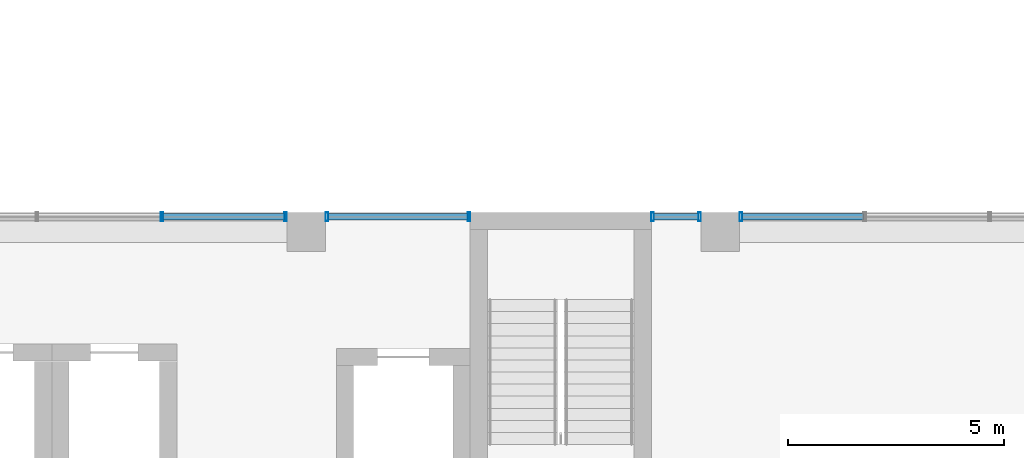
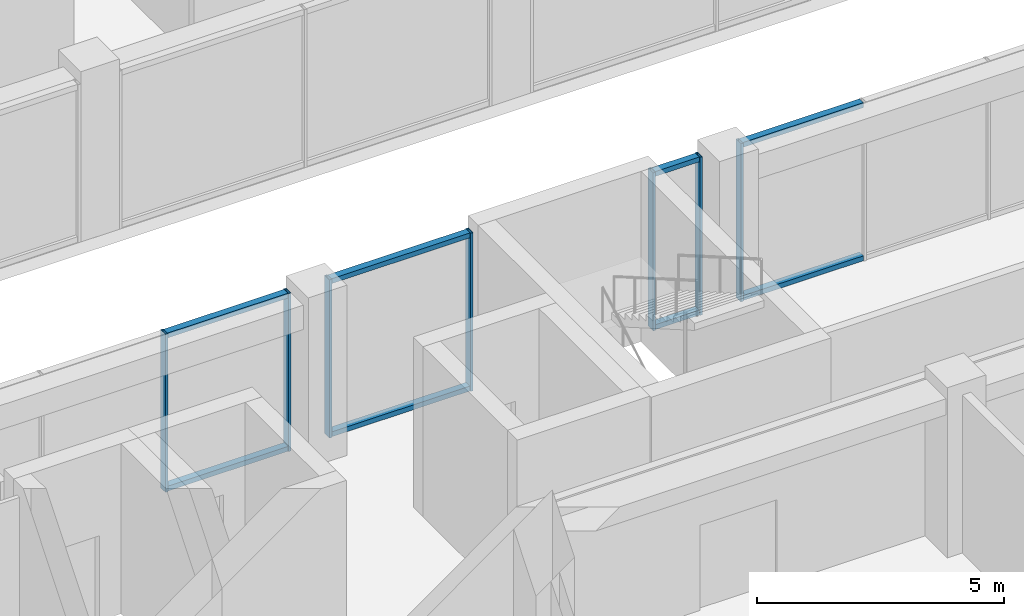
# One storey, part 9 of 37: 15 members, 4 elements without a shape of their own.
"""IFC4 building model written with IfcOpenShell, lengths in metres."""

from ifc_helpers import new_model, si_unit, direction, frame, origin, origin_2d, place, context, subcontext, project, spatial, hollow_rectangle, extrude, material, layer, layer_set, material_profile, profile_set, type_object, element, aggregate, save


model = new_model("IFC4")

# Units and contexts
model_context = context("Model", 3, precision=1e-05, world=origin(), true_north=direction((0.0, 1.0)))
body_context = subcontext(model_context, "Body", "Model", "MODEL_VIEW")
ifc_project = project(units=[si_unit("LENGTHUNIT", "METRE"), si_unit("AREAUNIT", "SQUARE_METRE"), si_unit("VOLUMEUNIT", "CUBIC_METRE"), si_unit("PLANEANGLEUNIT", "RADIAN"), si_unit("MASSUNIT", "GRAM", prefix="KILO")], contexts=[model_context])

# Site, building, storey
site_placement = place(None, origin())
site = spatial("IfcSite", under=ifc_project, at=site_placement, CompositionType="ELEMENT")
building_placement = place(site_placement, origin())
building = spatial("IfcBuilding", under=site, at=building_placement, Name="Nzadi Deep Aquarium and Research Tower", CompositionType="ELEMENT")
storey_placement = place(building_placement, frame((0.0, 0.0, 61.300048828125)))
storey = spatial("IfcBuildingStorey", under=building, at=storey_placement, Name="L12", CompositionType="ELEMENT", Elevation=61.300048828125)

# Curtain wall, members
ifc_material_1 = material(Name="Aluminium unitised frame", Category="aluminium")
ifc_layer = layer(ifc_material_1, 0.199951171875)
ifc_layer_set = layer_set([ifc_layer], Name="Aluminium unitised frame")
curtain_wall_type = type_object("IfcCurtainWallType", Name="Curtain wall Unitised 200", PredefinedType="NOTDEFINED", material=ifc_layer_set)
curtain_wall_1_placement = place(storey_placement, origin())
curtain_wall_1 = element("IfcCurtainWall", 1, at=curtain_wall_1_placement, inside=storey, type_object=curtain_wall_type, Name="Unitised curtain wall blade A north L12", PredefinedType="NOTDEFINED")
ifc_material_2 = material(Name="Aluminium unitised frame", Category="aluminium")
ifc_material_profile_1 = material_profile(ifc_material_2, hollow_rectangle(XDim=0.199951171875, YDim=0.06005859375, WallThickness=0.0048828125, at=origin_2d()))
ifc_profile_set_1 = profile_set([ifc_material_profile_1], Name="Aluminium unitised frame")
member_type_1 = type_object("IfcMemberType", Name="Mullion 60x200 Unitised", PredefinedType="MULLION", material=ifc_profile_set_1)
member_1_placement = place(storey_placement, frame((15.85009765625, 18.75, 0.0), z_axis=(0.0, 0.0, 1.0), x_axis=(0.0, 1.0, 0.0)))
member_1 = element("IfcMember", 2, at=member_1_placement, type_object=member_type_1, Name="CW052 mullion 3", PredefinedType="MULLION", context=body_context, shape_type="SweptSolid", body=[
    extrude(hollow_rectangle(XDim=0.199951171875, YDim=0.06005859375, WallThickness=0.0048828125, at=origin_2d()), origin(), (0.0, 0.0, 1.0), 3.89990234375),
])
member_2_placement = place(storey_placement, frame((18.719970703125, 18.75, 0.0), z_axis=(0.0, 0.0, 1.0), x_axis=(0.0, 1.0, 0.0)))
member_2 = element("IfcMember", 3, at=member_2_placement, type_object=member_type_1, Name="CW052 mullion 4", PredefinedType="MULLION", context=body_context, shape_type="SweptSolid", body=[
    extrude(hollow_rectangle(XDim=0.199951171875, YDim=0.06005859375, WallThickness=0.0048828125, at=origin_2d()), origin(), (0.0, 0.0, 1.0), 3.89990234375),
])

curtain_wall_2_placement = place(storey_placement, origin())
curtain_wall_2 = element("IfcCurtainWall", 4, at=curtain_wall_2_placement, inside=storey, type_object=curtain_wall_type, Name="Unitised curtain wall blade A north L12", PredefinedType="NOTDEFINED")
member_3_placement = place(storey_placement, frame((19.679931640625, 18.75, 0.0), z_axis=(0.0, 0.0, 1.0), x_axis=(0.0, 1.0, 0.0)))
member_3 = element("IfcMember", 5, at=member_3_placement, type_object=member_type_1, Name="CW053 mullion 1", PredefinedType="MULLION", context=body_context, shape_type="SweptSolid", body=[
    extrude(hollow_rectangle(XDim=0.199951171875, YDim=0.06005859375, WallThickness=0.0048828125, at=origin_2d()), origin(), (0.0, 0.0, 1.0), 3.89990234375),
])
member_4_placement = place(storey_placement, frame((22.969970703125, 18.75, 0.0), z_axis=(0.0, 0.0, 1.0), x_axis=(0.0, 1.0, 0.0)))
member_4 = element("IfcMember", 6, at=member_4_placement, type_object=member_type_1, Name="CW053 mullion 2", PredefinedType="MULLION", context=body_context, shape_type="SweptSolid", body=[
    extrude(hollow_rectangle(XDim=0.199951171875, YDim=0.06005859375, WallThickness=0.0048828125, at=origin_2d()), origin(), (0.0, 0.0, 1.0), 3.89990234375),
])

curtain_wall_3_placement = place(storey_placement, origin())
curtain_wall_3 = element("IfcCurtainWall", 7, at=curtain_wall_3_placement, inside=storey, type_object=curtain_wall_type, Name="Unitised curtain wall blade A north L12", PredefinedType="NOTDEFINED")
member_5_placement = place(storey_placement, frame((27.22998046875, 18.75, 0.0), z_axis=(0.0, 0.0, 1.0), x_axis=(0.0, 1.0, 0.0)))
member_5 = element("IfcMember", 8, at=member_5_placement, type_object=member_type_1, Name="CW054 mullion 1", PredefinedType="MULLION", context=body_context, shape_type="SweptSolid", body=[
    extrude(hollow_rectangle(XDim=0.199951171875, YDim=0.06005859375, WallThickness=0.0048828125, at=origin_2d()), origin(), (0.0, 0.0, 1.0), 3.89990234375),
])
member_6_placement = place(storey_placement, frame((28.320068359375, 18.75, 0.0), z_axis=(0.0, 0.0, 1.0), x_axis=(0.0, 1.0, 0.0)))
member_6 = element("IfcMember", 9, at=member_6_placement, type_object=member_type_1, Name="CW054 mullion 2", PredefinedType="MULLION", context=body_context, shape_type="SweptSolid", body=[
    extrude(hollow_rectangle(XDim=0.199951171875, YDim=0.06005859375, WallThickness=0.0048828125, at=origin_2d()), origin(), (0.0, 0.0, 1.0), 3.89990234375),
])

# Curtain wall, member
curtain_wall_4_placement = place(storey_placement, origin())
curtain_wall_4 = element("IfcCurtainWall", 10, at=curtain_wall_4_placement, inside=storey, type_object=curtain_wall_type, Name="Unitised curtain wall blade A north L12", PredefinedType="NOTDEFINED")
member_7_placement = place(storey_placement, frame((29.280029296875, 18.75, 0.0), z_axis=(0.0, 0.0, 1.0), x_axis=(0.0, 1.0, 0.0)))
member_7 = element("IfcMember", 11, at=member_7_placement, type_object=member_type_1, Name="CW055 mullion 1", PredefinedType="MULLION", context=body_context, shape_type="SweptSolid", body=[
    extrude(hollow_rectangle(XDim=0.199951171875, YDim=0.06005859375, WallThickness=0.0048828125, at=origin_2d()), origin(), (0.0, 0.0, 1.0), 3.89990234375),
])

# Member
ifc_material_3 = material(Name="Aluminium unitised frame", Category="aluminium")
ifc_material_profile_2 = material_profile(ifc_material_3, hollow_rectangle(XDim=0.159912109375, YDim=0.1201171875, WallThickness=0.0048828125, at=origin_2d()))
ifc_profile_set_2 = profile_set([ifc_material_profile_2], Name="Aluminium unitised frame")
member_type_2 = type_object("IfcMemberType", Name="Transom 120x160 Unitised", PredefinedType="MULLION", material=ifc_profile_set_2)
member_8_placement = place(storey_placement, frame((15.8798828125, 18.75, 0.06005859375), z_axis=(1.0, 0.0, 0.0), x_axis=(0.0, 1.0, 0.0)))
member_8 = element("IfcMember", 12, at=member_8_placement, type_object=member_type_2, Name="CW052 transom 3.1", PredefinedType="MULLION", context=body_context, shape_type="SweptSolid", body=[
    extrude(hollow_rectangle(XDim=0.159912109375, YDim=0.1201171875, WallThickness=0.0048828125, at=origin_2d()), origin(), (0.0, 0.0, 1.0), 2.81005859375),
])

member_9_placement = place(storey_placement, frame((15.8798828125, 18.75, 3.83984375), z_axis=(1.0, 0.0, 0.0), x_axis=(0.0, 1.0, 0.0)))
member_9 = element("IfcMember", 13, at=member_9_placement, type_object=member_type_2, Name="CW052 transom 3.2", PredefinedType="MULLION", context=body_context, shape_type="SweptSolid", body=[
    extrude(hollow_rectangle(XDim=0.159912109375, YDim=0.1201171875, WallThickness=0.0048828125, at=origin_2d()), origin(), (0.0, 0.0, 1.0), 2.81005859375),
])

aggregate(curtain_wall_1, [member_1, member_2, member_8, member_9])

member_10_placement = place(storey_placement, frame((19.7099609375, 18.75, 0.06005859375), z_axis=(1.0, 0.0, 0.0), x_axis=(0.0, 1.0, 0.0)))
member_10 = element("IfcMember", 14, at=member_10_placement, type_object=member_type_2, Name="CW053 transom 1.1", PredefinedType="MULLION", context=body_context, shape_type="SweptSolid", body=[
    extrude(hollow_rectangle(XDim=0.159912109375, YDim=0.1201171875, WallThickness=0.0048828125, at=origin_2d()), origin(), (0.0, 0.0, 1.0), 3.22998046875),
])

member_11_placement = place(storey_placement, frame((19.7099609375, 18.75, 3.83984375), z_axis=(1.0, 0.0, 0.0), x_axis=(0.0, 1.0, 0.0)))
member_11 = element("IfcMember", 15, at=member_11_placement, type_object=member_type_2, Name="CW053 transom 1.2", PredefinedType="MULLION", context=body_context, shape_type="SweptSolid", body=[
    extrude(hollow_rectangle(XDim=0.159912109375, YDim=0.1201171875, WallThickness=0.0048828125, at=origin_2d()), origin(), (0.0, 0.0, 1.0), 3.22998046875),
])

aggregate(curtain_wall_2, [member_3, member_4, member_10, member_11])

member_12_placement = place(storey_placement, frame((27.260009765625, 18.75, 0.06005859375), z_axis=(1.0, 0.0, 0.0), x_axis=(0.0, 1.0, 0.0)))
member_12 = element("IfcMember", 16, at=member_12_placement, type_object=member_type_2, Name="CW054 transom 1.1", PredefinedType="MULLION", context=body_context, shape_type="SweptSolid", body=[
    extrude(hollow_rectangle(XDim=0.159912109375, YDim=0.1201171875, WallThickness=0.0048828125, at=origin_2d()), origin(), (0.0, 0.0, 1.0), 1.030029296875),
])

member_13_placement = place(storey_placement, frame((27.260009765625, 18.75, 3.83984375), z_axis=(1.0, 0.0, 0.0), x_axis=(0.0, 1.0, 0.0)))
member_13 = element("IfcMember", 17, at=member_13_placement, type_object=member_type_2, Name="CW054 transom 1.2", PredefinedType="MULLION", context=body_context, shape_type="SweptSolid", body=[
    extrude(hollow_rectangle(XDim=0.159912109375, YDim=0.1201171875, WallThickness=0.0048828125, at=origin_2d()), origin(), (0.0, 0.0, 1.0), 1.030029296875),
])

aggregate(curtain_wall_3, [member_5, member_6, member_12, member_13])

member_14_placement = place(storey_placement, frame((29.31005859375, 18.75, 0.06005859375), z_axis=(1.0, 0.0, 0.0), x_axis=(0.0, 1.0, 0.0)))
member_14 = element("IfcMember", 18, at=member_14_placement, type_object=member_type_2, Name="CW055 transom 1.1", PredefinedType="MULLION", context=body_context, shape_type="SweptSolid", body=[
    extrude(hollow_rectangle(XDim=0.159912109375, YDim=0.1201171875, WallThickness=0.0048828125, at=origin_2d()), origin(), (0.0, 0.0, 1.0), 2.81005859375),
])

member_15_placement = place(storey_placement, frame((29.31005859375, 18.75, 3.83984375), z_axis=(1.0, 0.0, 0.0), x_axis=(0.0, 1.0, 0.0)))
member_15 = element("IfcMember", 19, at=member_15_placement, type_object=member_type_2, Name="CW055 transom 1.2", PredefinedType="MULLION", context=body_context, shape_type="SweptSolid", body=[
    extrude(hollow_rectangle(XDim=0.159912109375, YDim=0.1201171875, WallThickness=0.0048828125, at=origin_2d()), origin(), (0.0, 0.0, 1.0), 2.81005859375),
])

aggregate(curtain_wall_4, [member_7, member_14, member_15])

save(model, "model.ifc")
